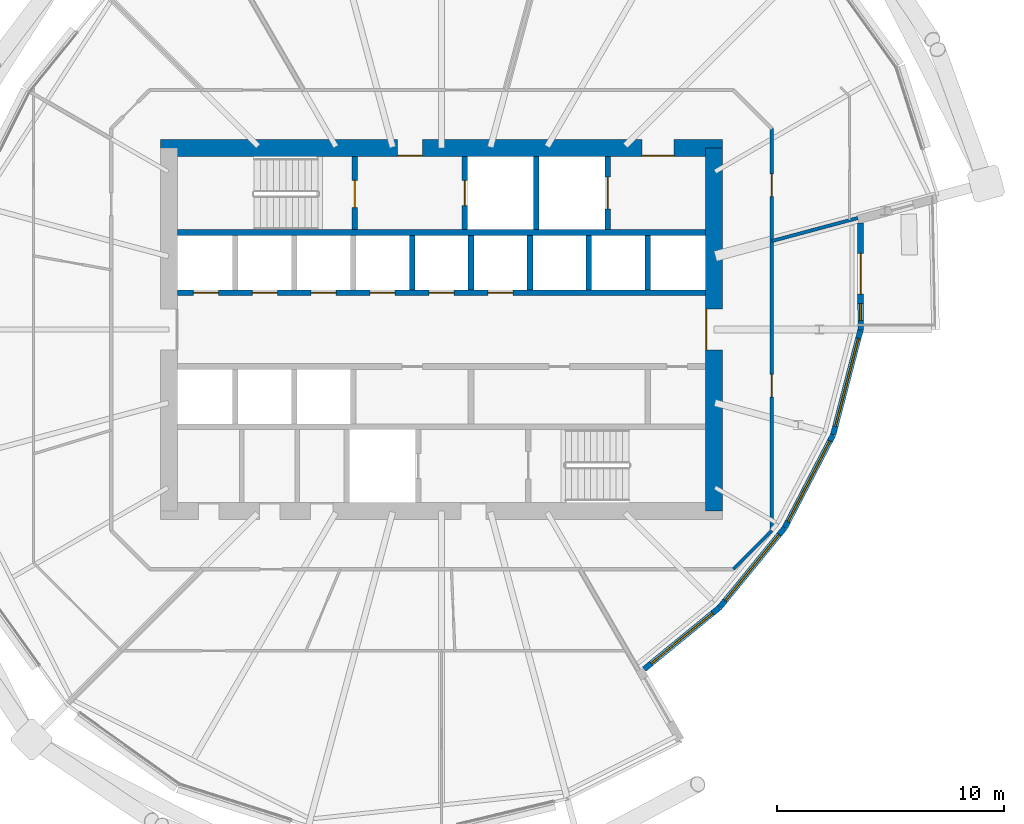
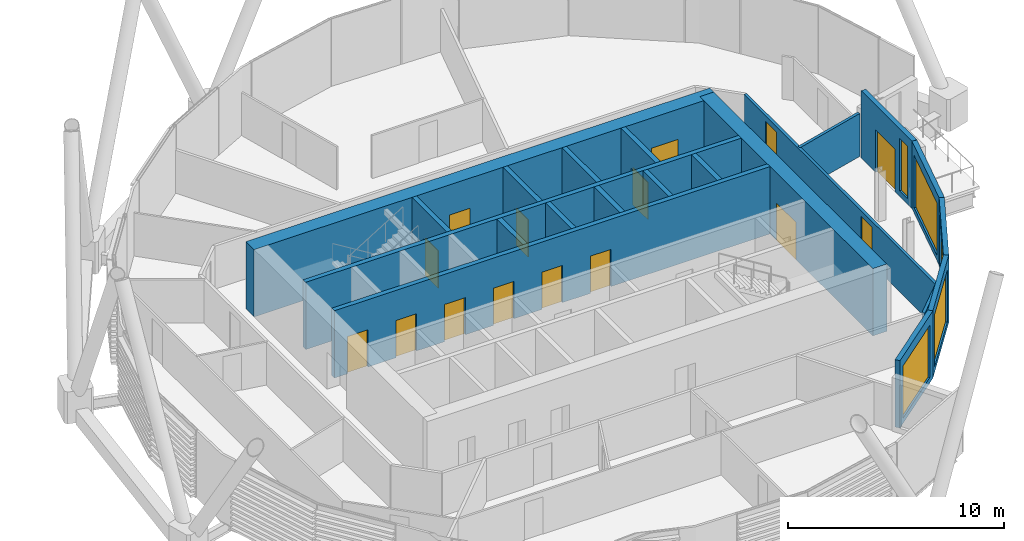
# One storey, part 29 of 38: 21 walls, 15 doors, 5 windows, 20 openings.
"""IFC4 building model written with IfcOpenShell, lengths in metres."""

from ifc_helpers import new_model, si_unit, direction, frame, frame_2d, origin, place, context, subcontext, project, spatial, rectangle, extrude, material, layer, layer_set, type_object, element, fill, save


model = new_model("IFC4")

# Units and contexts
model_context = context("Model", 3, precision=1e-05, world=origin(), true_north=direction((0.0, 1.0)))
body_context = subcontext(model_context, "Body", "Model", "MODEL_VIEW")
ifc_project = project(units=[si_unit("LENGTHUNIT", "METRE"), si_unit("AREAUNIT", "SQUARE_METRE"), si_unit("VOLUMEUNIT", "CUBIC_METRE"), si_unit("PLANEANGLEUNIT", "RADIAN"), si_unit("MASSUNIT", "GRAM", prefix="KILO")], contexts=[model_context])

# Site, building, storey
site_placement = place(None, origin())
site = spatial("IfcSite", under=ifc_project, at=site_placement, CompositionType="ELEMENT")
building_placement = place(site_placement, origin())
building = spatial("IfcBuilding", under=site, at=building_placement, Name="Rimbun Link Towers", CompositionType="ELEMENT")
storey_placement = place(building_placement, frame((0.0, 0.0, 104.39990234375)))
storey = spatial("IfcBuildingStorey", under=building, at=storey_placement, Name="L25", CompositionType="ELEMENT", Elevation=104.39990234375)

# Wall, opening, window
ifc_material_1 = material(Name="Dark enamelled glass spandrel on insulated aluminium backpan", Category="aluminium")
ifc_layer_1 = layer(ifc_material_1, 0.25)
ifc_layer_set_1 = layer_set([ifc_layer_1], Name="CS dark enamelled spandrel wall 250")
wall_type_1 = type_object("IfcWallType", Name="CS dark enamelled spandrel wall 250", PredefinedType="STANDARD", material=ifc_layer_set_1)
wall_1_placement = place(storey_placement, frame((43.99267578125, -12.24267578125, 0.0), z_axis=(0.0, 0.0, 1.0), x_axis=(-0.773876104607, -0.633337015117, 0.0)))
wall_1 = element("IfcWall", 1, at=wall_1_placement, inside=storey, type_object=wall_type_1, Name="Crease spandrel wall", PredefinedType="STANDARD", context=body_context, shape_type="SweptSolid", body=[
    extrude(rectangle(XDim=4.287353515625, YDim=0.25, at=frame_2d((2.1435546875, 0.0))), origin(), (0.0, 0.0, 1.0), 3.800048828125),
])
opening_1_placement = place(wall_1_placement, frame((0.393798828125, 0.0, 0.300048828125)))
opening_1 = element("IfcOpeningElement", 2, at=opening_1_placement, cuts=wall_1, Name="Opening WR35H295", PredefinedType="OPENING", context=body_context, shape_type="SweptSolid", body=[
    extrude(rectangle(XDim=3.5, YDim=2.949951171875, at=frame_2d((1.75, 1.47509765625))), frame((0.0, 0.135009765625, 0.0), z_axis=(0.0, -1.0, 0.0), x_axis=(1.0, 0.0, 0.0)), (0.0, 0.0, 1.0), 0.27001953125),
])
ifc_material_2 = material(Name="Aluminium framed fixed window, dark tinted low-e glass", Category="aluminium")
window_type_1 = type_object("IfcWindowType", Name="WR ribbon window 3500X2950", PartitioningType="SINGLE_PANEL", PredefinedType="WINDOW", material=ifc_material_2)
window_1_placement = place(opening_1_placement, origin())
window_1 = element("IfcWindow", 3, at=window_1_placement, inside=storey, type_object=window_type_1, Name="Crease ribbon window", OverallHeight=2.949951171875, OverallWidth=3.5, PartitioningType="SINGLE_PANEL", PredefinedType="WINDOW", context=body_context, shape_type="SweptSolid", body=[
    extrude(rectangle(XDim=3.5, YDim=2.949951171875, at=frame_2d((1.75, 1.47509765625))), frame((0.0, 0.030029296875, 0.0), z_axis=(0.0, -1.0, 0.0), x_axis=(1.0, 0.0, 0.0)), (0.0, 0.0, 1.0), 0.06005859375),
])
fill(opening_1, window_1)

wall_2_placement = place(storey_placement, frame((46.86376953125, -8.734619140625, 0.0), z_axis=(0.0, 0.0, 1.0), x_axis=(-0.6333521617, -0.773863708459, 0.0)))
wall_2 = element("IfcWall", 4, at=wall_2_placement, inside=storey, type_object=wall_type_1, Name="Crease spandrel wall", PredefinedType="STANDARD", context=body_context, shape_type="SweptSolid", body=[
    extrude(rectangle(XDim=4.533203125, YDim=0.25, at=frame_2d((2.2666015625, 0.0))), origin(), (0.0, 0.0, 1.0), 3.800048828125),
])
opening_2_placement = place(wall_2_placement, frame((0.3916015625, 0.0, 0.300048828125)))
opening_2 = element("IfcOpeningElement", 5, at=opening_2_placement, cuts=wall_2, Name="Opening WR38H295", PredefinedType="OPENING", context=body_context, shape_type="SweptSolid", body=[
    extrude(rectangle(XDim=3.75, YDim=2.949951171875, at=frame_2d((1.875, 1.47509765625))), frame((0.0, 0.135009765625, 0.0), z_axis=(0.0, -1.0, 0.0), x_axis=(1.0, 0.0, 0.0)), (0.0, 0.0, 1.0), 0.27001953125),
])
ifc_material_3 = material(Name="Aluminium framed fixed window, dark tinted low-e glass", Category="aluminium")
window_type_2 = type_object("IfcWindowType", Name="WR ribbon window 3750X2950", PartitioningType="SINGLE_PANEL", PredefinedType="WINDOW", material=ifc_material_3)
window_2_placement = place(opening_2_placement, origin())
window_2 = element("IfcWindow", 6, at=window_2_placement, inside=storey, type_object=window_type_2, Name="Crease ribbon window", OverallHeight=2.949951171875, OverallWidth=3.75, PartitioningType="SINGLE_PANEL", PredefinedType="WINDOW", context=body_context, shape_type="SweptSolid", body=[
    extrude(rectangle(XDim=3.75, YDim=2.949951171875, at=frame_2d((1.875, 1.47509765625))), frame((0.0, 0.030029296875, 0.0), z_axis=(0.0, -1.0, 0.0), x_axis=(1.0, 0.0, 0.0)), (0.0, 0.0, 1.0), 0.06005859375),
])
fill(opening_2, window_2)

wall_3_placement = place(storey_placement, frame((48.9990234375, -4.6357421875, 0.0), z_axis=(0.0, 0.0, 1.0), x_axis=(-0.462006269237, -0.886876658384, 0.0)))
wall_3 = element("IfcWall", 7, at=wall_3_placement, inside=storey, type_object=wall_type_1, Name="Crease spandrel wall", PredefinedType="STANDARD", context=body_context, shape_type="SweptSolid", body=[
    extrude(rectangle(XDim=4.62158203125, YDim=0.25, at=frame_2d((2.310791015625, 0.0))), origin(), (0.0, 0.0, 1.0), 3.800048828125),
])
opening_3_placement = place(wall_3_placement, frame((0.310791015625, 0.0, 0.300048828125)))
opening_3 = element("IfcOpeningElement", 8, at=opening_3_placement, cuts=wall_3, Name="Opening WR40H295", PredefinedType="OPENING", context=body_context, shape_type="SweptSolid", body=[
    extrude(rectangle(XDim=4.0, YDim=2.949951171875, at=frame_2d((2.0, 1.47509765625))), frame((0.0, 0.135009765625, 0.0), z_axis=(0.0, -1.0, 0.0), x_axis=(1.0, 0.0, 0.0)), (0.0, 0.0, 1.0), 0.27001953125),
])
ifc_material_4 = material(Name="Aluminium framed fixed window, dark tinted low-e glass", Category="aluminium")
window_type_3 = type_object("IfcWindowType", Name="WR ribbon window 4000X2950", PartitioningType="SINGLE_PANEL", PredefinedType="WINDOW", material=ifc_material_4)
window_3_placement = place(opening_3_placement, origin())
window_3 = element("IfcWindow", 9, at=window_3_placement, inside=storey, type_object=window_type_3, Name="Crease ribbon window", OverallHeight=2.949951171875, OverallWidth=4.0, PartitioningType="SINGLE_PANEL", PredefinedType="WINDOW", context=body_context, shape_type="SweptSolid", body=[
    extrude(rectangle(XDim=4.0, YDim=2.949951171875, at=frame_2d((2.0, 1.47509765625))), frame((0.0, 0.030029296875, 0.0), z_axis=(0.0, -1.0, 0.0), x_axis=(1.0, 0.0, 0.0)), (0.0, 0.0, 1.0), 0.06005859375),
])
fill(opening_3, window_3)

wall_4_placement = place(storey_placement, frame((50.20458984375, -0.01611328125, 0.0), z_axis=(0.0, 0.0, 1.0), x_axis=(-0.252509325017, -0.967594460908, 0.0)))
wall_4 = element("IfcWall", 10, at=wall_4_placement, inside=storey, type_object=wall_type_1, Name="Crease spandrel wall", PredefinedType="STANDARD", context=body_context, shape_type="SweptSolid", body=[
    extrude(rectangle(XDim=4.7744140625, YDim=0.25, at=frame_2d((2.38720703125, 0.0))), origin(), (0.0, 0.0, 1.0), 3.800048828125),
])
opening_4_placement = place(wall_4_placement, frame((0.38720703125, 0.0, 0.300048828125)))
opening_4 = element("IfcOpeningElement", 11, at=opening_4_placement, cuts=wall_4, Name="Opening WR40H295", PredefinedType="OPENING", context=body_context, shape_type="SweptSolid", body=[
    extrude(rectangle(XDim=4.0, YDim=2.949951171875, at=frame_2d((2.0, 1.47509765625))), frame((0.0, 0.135009765625, 0.0), z_axis=(0.0, -1.0, 0.0), x_axis=(1.0, 0.0, 0.0)), (0.0, 0.0, 1.0), 0.27001953125),
])
window_4_placement = place(opening_4_placement, origin())
window_4 = element("IfcWindow", 12, at=window_4_placement, inside=storey, type_object=window_type_3, Name="Crease ribbon window", OverallHeight=2.949951171875, OverallWidth=4.0, PartitioningType="SINGLE_PANEL", PredefinedType="WINDOW", context=body_context, shape_type="SweptSolid", body=[
    extrude(rectangle(XDim=4.0, YDim=2.949951171875, at=frame_2d((2.0, 1.47509765625))), frame((0.0, 0.030029296875, 0.0), z_axis=(0.0, -1.0, 0.0), x_axis=(1.0, 0.0, 0.0)), (0.0, 0.0, 1.0), 0.06005859375),
])
fill(opening_4, window_4)

# Wall, openings, door, window
wall_5_placement = place(storey_placement, frame((50.2041015625, 4.68603515625, 0.0), z_axis=(0.0, 0.0, 1.0), x_axis=(0.000103842159, -0.999999994608, 0.0)))
wall_5 = element("IfcWall", 13, at=wall_5_placement, inside=storey, type_object=wall_type_1, Name="Crease spandrel wall", PredefinedType="STANDARD", context=body_context, shape_type="SweptSolid", body=[
    extrude(rectangle(XDim=4.7021484375, YDim=0.25, at=frame_2d((2.35107421875, 0.0))), origin(), (0.0, 0.0, 1.0), 3.800048828125),
])
opening_5_placement = place(wall_5_placement, frame((3.541259765625, 0.0, 0.300048828125)))
opening_5 = element("IfcOpeningElement", 14, at=opening_5_placement, cuts=wall_5, Name="Opening WR08H295", PredefinedType="OPENING", context=body_context, shape_type="SweptSolid", body=[
    extrude(rectangle(XDim=0.75, YDim=2.949951171875, at=frame_2d((0.375, 1.47509765625))), frame((0.0, 0.135009765625, 0.0), z_axis=(0.0, -1.0, 0.0), x_axis=(1.0, 0.0, 0.0)), (0.0, 0.0, 1.0), 0.27001953125),
])
opening_6_placement = place(wall_5_placement, frame((1.330322265625, 0.0, 0.0)))
opening_6 = element("IfcOpeningElement", 15, at=opening_6_placement, cuts=wall_5, Name="Opening ED64", PredefinedType="OPENING", context=body_context, shape_type="SweptSolid", body=[
    extrude(rectangle(XDim=1.800048828125, YDim=2.39990234375, at=frame_2d((0.89990234375, 1.199951171875))), frame((0.0, 0.135009765625, 0.0), z_axis=(0.0, -1.0, 0.0), x_axis=(1.0, 0.0, 0.0)), (0.0, 0.0, 1.0), 0.27001953125),
])
ifc_material_5 = material(Name="Aluminium framed glazed door, low-iron glass", Category="aluminium")
door_type_1 = type_object("IfcDoorType", Name="ED terrace door double leaf 1800X2400", OperationType="DOUBLE_DOOR_SINGLE_SWING", PredefinedType="DOOR", material=ifc_material_5)
door_1_placement = place(opening_6_placement, origin())
door_1 = element("IfcDoor", 16, at=door_1_placement, inside=storey, type_object=door_type_1, Name="Terrace door", OperationType="SINGLE_SWING_LEFT", OverallHeight=2.39990234375, OverallWidth=1.800048828125, PredefinedType="DOOR", context=body_context, shape_type="SweptSolid", body=[
    extrude(rectangle(XDim=1.800048828125, YDim=2.39990234375, at=frame_2d((0.89990234375, 1.199951171875))), frame((0.0, 0.02490234375, 0.0), z_axis=(0.0, -1.0, 0.0), x_axis=(1.0, 0.0, 0.0)), (0.0, 0.0, 1.0), 0.050048828125),
])
fill(opening_6, door_1)
ifc_material_6 = material(Name="Aluminium framed fixed window, dark tinted low-e glass", Category="aluminium")
window_type_4 = type_object("IfcWindowType", Name="WR ribbon window 750X2950", PartitioningType="SINGLE_PANEL", PredefinedType="WINDOW", material=ifc_material_6)
window_5_placement = place(opening_5_placement, origin())
window_5 = element("IfcWindow", 17, at=window_5_placement, inside=storey, type_object=window_type_4, Name="Crease ribbon window", OverallHeight=2.949951171875, OverallWidth=0.75, PartitioningType="SINGLE_PANEL", PredefinedType="WINDOW", context=body_context, shape_type="SweptSolid", body=[
    extrude(rectangle(XDim=0.75, YDim=2.949951171875, at=frame_2d((0.375, 1.47509765625))), frame((0.0, 0.030029296875, 0.0), z_axis=(0.0, -1.0, 0.0), x_axis=(1.0, 0.0, 0.0)), (0.0, 0.0, 1.0), 0.06005859375),
])
fill(opening_5, window_5)

# Wall, openings, doors
ifc_material_7 = material(Name="Concrete C60/75", Category="concrete")
ifc_layer_2 = layer(ifc_material_7, 0.75)
ifc_layer_set_2 = layer_set([ifc_layer_2], Name="Core shear wall 750")
wall_type_2 = type_object("IfcWallType", Name="Core shear wall 750", PredefinedType="SHEAR", material=ifc_layer_set_2)
wall_6_placement = place(storey_placement, frame((19.375, 8.0, 0.0), z_axis=(0.0, 0.0, 1.0), x_axis=(1.0, 0.0, 0.0)))
wall_6 = element("IfcWall", 18, at=wall_6_placement, inside=storey, type_object=wall_type_2, Name="L25 T2 core wall N", PredefinedType="SHEAR", context=body_context, shape_type="SweptSolid", body=[
    extrude(rectangle(XDim=24.75, YDim=0.75, at=frame_2d((12.375, 0.0))), origin(), (0.0, 0.0, 1.0), 3.800048828125),
])
opening_7_placement = place(wall_6_placement, frame((10.425048828125, 0.0, 0.0)))
opening_7 = element("IfcOpeningElement", 19, at=opening_7_placement, cuts=wall_6, Name="Opening C2DCF01N", PredefinedType="OPENING", context=body_context, shape_type="SweptSolid", body=[
    extrude(rectangle(XDim=1.10009765625, YDim=2.10009765625, at=frame_2d((0.550048828125, 1.050048828125))), frame((0.0, 0.385009765625, 0.0), z_axis=(0.0, -1.0, 0.0), x_axis=(1.0, 0.0, 0.0)), (0.0, 0.0, 1.0), 0.77001953125),
])
opening_8_placement = place(wall_6_placement, frame((21.21240234375, 0.0, 0.0)))
opening_8 = element("IfcOpeningElement", 20, at=opening_8_placement, cuts=wall_6, Name="Opening C2DSL02N", PredefinedType="OPENING", context=body_context, shape_type="SweptSolid", body=[
    extrude(rectangle(XDim=1.39990234375, YDim=2.10009765625, at=frame_2d((0.699951171875, 1.050048828125))), frame((0.0, 0.385009765625, 0.0), z_axis=(0.0, -1.0, 0.0), x_axis=(1.0, 0.0, 0.0)), (0.0, 0.0, 1.0), 0.77001953125),
])
ifc_material_8 = material(Name="Steel fire door set", Category="steel")
door_type_2 = type_object("IfcDoorType", Name="Core fire door single", OperationType="SINGLE_SWING_LEFT", PredefinedType="DOOR", material=ifc_material_8)
door_2_placement = place(opening_7_placement, origin())
door_2 = element("IfcDoor", 21, at=door_2_placement, inside=storey, type_object=door_type_2, Name="L25 T2 firefighting lobby n door", OperationType="SINGLE_SWING_LEFT", OverallHeight=2.10009765625, OverallWidth=1.10009765625, PredefinedType="DOOR", context=body_context, shape_type="SweptSolid", body=[
    extrude(rectangle(XDim=1.10009765625, YDim=2.10009765625, at=frame_2d((0.550048828125, 1.050048828125))), frame((0.0, -0.3251953125, 0.0), z_axis=(0.0, -1.0, 0.0), x_axis=(1.0, 0.0, 0.0)), (0.0, 0.0, 1.0), 0.050048828125),
])
fill(opening_7, door_2)
ifc_material_9 = material(Name="Steel fire door set", Category="steel")
door_type_3 = type_object("IfcDoorType", Name="Service lobby door double", OperationType="DOUBLE_DOOR_SINGLE_SWING", PredefinedType="DOOR", material=ifc_material_9)
door_3_placement = place(opening_8_placement, origin())
door_3 = element("IfcDoor", 22, at=door_3_placement, inside=storey, type_object=door_type_3, Name="L25 T2 service lobby door", OperationType="DOUBLE_DOOR_SINGLE_SWING", OverallHeight=2.10009765625, OverallWidth=1.39990234375, PredefinedType="DOOR", context=body_context, shape_type="SweptSolid", body=[
    extrude(rectangle(XDim=1.39990234375, YDim=2.10009765625, at=frame_2d((0.699951171875, 1.050048828125))), frame((0.0, -0.3251953125, 0.0), z_axis=(0.0, -1.0, 0.0), x_axis=(1.0, 0.0, 0.0)), (0.0, 0.0, 1.0), 0.050048828125),
])
fill(opening_8, door_3)

# Wall, opening, door
wall_7_placement = place(storey_placement, frame((43.75, -8.0, 0.0), z_axis=(0.0, 0.0, 1.0), x_axis=(0.0, 1.0, 0.0)))
wall_7 = element("IfcWall", 23, at=wall_7_placement, inside=storey, type_object=wall_type_2, Name="L25 T2 core wall E", PredefinedType="SHEAR", context=body_context, shape_type="SweptSolid", body=[
    extrude(rectangle(XDim=16.0, YDim=0.75, at=frame_2d((8.0, 0.0))), origin(), (0.0, 0.0, 1.0), 3.800048828125),
])
opening_9_placement = place(wall_7_placement, frame((7.10009765625, 0.0, 0.0)))
opening_9 = element("IfcOpeningElement", 24, at=opening_9_placement, cuts=wall_7, Name="Opening C2DCL01E", PredefinedType="OPENING", context=body_context, shape_type="SweptSolid", body=[
    extrude(rectangle(XDim=1.800048828125, YDim=2.10009765625, at=frame_2d((0.89990234375, 1.050048828125))), frame((0.0, 0.385009765625, 0.0), z_axis=(0.0, -1.0, 0.0), x_axis=(1.0, 0.0, 0.0)), (0.0, 0.0, 1.0), 0.77001953125),
])
ifc_material_10 = material(Name="Steel fire door set", Category="steel")
door_type_4 = type_object("IfcDoorType", Name="Core lobby door double", OperationType="DOUBLE_DOOR_SINGLE_SWING", PredefinedType="DOOR", material=ifc_material_10)
door_4_placement = place(opening_9_placement, origin())
door_4 = element("IfcDoor", 25, at=door_4_placement, inside=storey, type_object=door_type_4, Name="L25 T2 lift lobby door", OperationType="DOUBLE_DOOR_SINGLE_SWING", OverallHeight=2.10009765625, OverallWidth=1.800048828125, PredefinedType="DOOR", context=body_context, shape_type="SweptSolid", body=[
    extrude(rectangle(XDim=1.800048828125, YDim=2.10009765625, at=frame_2d((0.89990234375, 1.050048828125))), frame((0.0, 0.375, 0.0), z_axis=(0.0, -1.0, 0.0), x_axis=(1.0, 0.0, 0.0)), (0.0, 0.0, 1.0), 0.050048828125),
])
fill(opening_9, door_4)

# Wall, openings, doors
ifc_material_11 = material(Name="Plasterboard on steel stud, mineral wool", Category="steel")
ifc_layer_3 = layer(ifc_material_11, 0.14990234375)
ifc_layer_set_3 = layer_set([ifc_layer_3], Name="Corridor wall EI 30 150 mm")
wall_type_3 = type_object("IfcWallType", Name="Corridor wall EI 30 150 mm", PredefinedType="PARTITIONING", material=ifc_layer_set_3)
wall_8_placement = place(storey_placement, frame((46.300048828125, 8.851806640625, 0.0), z_axis=(0.0, 0.0, 1.0), x_axis=(0.0, -1.0, 0.0)))
wall_8 = element("IfcWall", 26, at=wall_8_placement, inside=storey, type_object=wall_type_3, Name="Corridor wall EI 30 150 mm", PredefinedType="PARTITIONING", context=body_context, shape_type="SweptSolid", body=[
    extrude(rectangle(XDim=17.70361328125, YDim=0.14990234375, at=frame_2d((8.851806640625, 0.0))), origin(), (0.0, 0.0, 1.0), 2.420166015625),
])
opening_10_placement = place(wall_8_placement, frame((1.994873046875, 0.0, 0.0)))
opening_10 = element("IfcOpeningElement", 27, at=opening_10_placement, cuts=wall_8, Name="Opening D01", PredefinedType="OPENING", context=body_context, shape_type="SweptSolid", body=[
    extrude(rectangle(XDim=1.0, YDim=2.10009765625, at=frame_2d((0.5, 1.050048828125))), frame((0.0, 0.0849609375, 0.0), z_axis=(0.0, -1.0, 0.0), x_axis=(1.0, 0.0, 0.0)), (0.0, 0.0, 1.0), 0.169921875),
])
opening_11_placement = place(wall_8_placement, frame((10.828125, 0.0, 0.0)))
opening_11 = element("IfcOpeningElement", 28, at=opening_11_placement, cuts=wall_8, Name="Opening D01", PredefinedType="OPENING", context=body_context, shape_type="SweptSolid", body=[
    extrude(rectangle(XDim=1.0, YDim=2.10009765625, at=frame_2d((0.5, 1.050048828125))), frame((0.0, 0.0849609375, 0.0), z_axis=(0.0, -1.0, 0.0), x_axis=(1.0, 0.0, 0.0)), (0.0, 0.0, 1.0), 0.169921875),
])
ifc_material_12 = material(Name="Fire-resisting timber door leaf", Category="wood")
door_type_5 = type_object("IfcDoorType", Name="Fire door FD30S 1000", OperationType="NOTDEFINED", PredefinedType="DOOR", material=ifc_material_12)
door_5_placement = place(opening_10_placement, origin())
door_5 = element("IfcDoor", 29, at=door_5_placement, inside=storey, type_object=door_type_5, Name="Fire door FD30S 1000 to Reception", OperationType="SINGLE_SWING_LEFT", OverallHeight=2.10009765625, OverallWidth=1.0, PredefinedType="DOOR", context=body_context, shape_type="SweptSolid", body=[
    extrude(rectangle(XDim=1.0, YDim=2.10009765625, at=frame_2d((0.5, 1.050048828125))), frame((0.0, 0.02490234375, 0.0), z_axis=(0.0, -1.0, 0.0), x_axis=(1.0, 0.0, 0.0)), (0.0, 0.0, 1.0), 0.050048828125),
])
fill(opening_10, door_5)
door_6_placement = place(opening_11_placement, origin())
door_6 = element("IfcDoor", 30, at=door_6_placement, inside=storey, type_object=door_type_5, Name="Fire door FD30S 1000 to Terrace office", OperationType="SINGLE_SWING_LEFT", OverallHeight=2.10009765625, OverallWidth=1.0, PredefinedType="DOOR", context=body_context, shape_type="SweptSolid", body=[
    extrude(rectangle(XDim=1.0, YDim=2.10009765625, at=frame_2d((0.5, 1.050048828125))), frame((0.0, 0.02490234375, 0.0), z_axis=(0.0, -1.0, 0.0), x_axis=(1.0, 0.0, 0.0)), (0.0, 0.0, 1.0), 0.050048828125),
])
fill(opening_11, door_6)

# Walls
wall_9_placement = place(storey_placement, frame((44.601806640625, -10.550048828125, 0.0), z_axis=(0.0, 0.0, 1.0), x_axis=(0.707106781187, 0.707106781187, 0.0)))
element("IfcWall", 31, at=wall_9_placement, inside=storey, type_object=wall_type_3, Name="Corridor wall EI 30 150 mm", PredefinedType="PARTITIONING", context=body_context, shape_type="SweptSolid", body=[
    extrude(rectangle(XDim=2.401611328125, YDim=0.14990234375, at=frame_2d((1.20068359375, 0.0))), origin(), (0.0, 0.0, 1.0), 2.420166015625),
])
ifc_material_13 = material(Name="Concrete C60/75", Category="concrete")
ifc_layer_4 = layer(ifc_material_13, 0.25)
ifc_layer_set_4 = layer_set([ifc_layer_4], Name="Shaft wall 250")
wall_type_4 = type_object("IfcWallType", Name="Shaft wall 250", PredefinedType="SHEAR", material=ifc_layer_set_4)
wall_10_placement = place(storey_placement, frame((20.125, 4.27490234375, 0.0), z_axis=(0.0, 0.0, 1.0), x_axis=(1.0, 0.0, 0.0)))
element("IfcWall", 32, at=wall_10_placement, inside=storey, type_object=wall_type_4, Name="L25 T2 core wall BN", PredefinedType="SHEAR", context=body_context, shape_type="SweptSolid", body=[
    extrude(rectangle(XDim=23.25, YDim=0.25, at=frame_2d((11.625, 0.0))), origin(), (0.0, 0.0, 1.0), 3.800048828125),
])

# Wall, openings, doors
wall_11_placement = place(storey_placement, frame((20.125, 1.625, 0.0), z_axis=(0.0, 0.0, 1.0), x_axis=(1.0, 0.0, 0.0)))
wall_11 = element("IfcWall", 33, at=wall_11_placement, inside=storey, type_object=wall_type_4, Name="L25 T2 core wall FN", PredefinedType="SHEAR", context=body_context, shape_type="SweptSolid", body=[
    extrude(rectangle(XDim=23.25, YDim=0.25, at=frame_2d((11.625, 0.0))), origin(), (0.0, 0.0, 1.0), 3.800048828125),
])
opening_12_placement = place(wall_11_placement, frame((0.697265625, 0.0, 0.0)))
opening_12 = element("IfcOpeningElement", 34, at=opening_12_placement, cuts=wall_11, Name="Opening LD-T2-LR1", PredefinedType="OPENING", context=body_context, shape_type="SweptSolid", body=[
    extrude(rectangle(XDim=1.10009765625, YDim=2.10009765625, at=frame_2d((0.550048828125, 1.050048828125))), frame((0.0, 0.135009765625, 0.0), z_axis=(0.0, -1.0, 0.0), x_axis=(1.0, 0.0, 0.0)), (0.0, 0.0, 1.0), 0.27001953125),
])
opening_13_placement = place(wall_11_placement, frame((3.291748046875, 0.0, 0.0)))
opening_13 = element("IfcOpeningElement", 35, at=opening_13_placement, cuts=wall_11, Name="Opening LD-T2-LR2", PredefinedType="OPENING", context=body_context, shape_type="SweptSolid", body=[
    extrude(rectangle(XDim=1.10009765625, YDim=2.10009765625, at=frame_2d((0.550048828125, 1.050048828125))), frame((0.0, 0.135009765625, 0.0), z_axis=(0.0, -1.0, 0.0), x_axis=(1.0, 0.0, 0.0)), (0.0, 0.0, 1.0), 0.27001953125),
])
opening_14_placement = place(wall_11_placement, frame((5.885986328125, 0.0, 0.0)))
opening_14 = element("IfcOpeningElement", 36, at=opening_14_placement, cuts=wall_11, Name="Opening LD-T2-LR3", PredefinedType="OPENING", context=body_context, shape_type="SweptSolid", body=[
    extrude(rectangle(XDim=1.10009765625, YDim=2.10009765625, at=frame_2d((0.550048828125, 1.050048828125))), frame((0.0, 0.135009765625, 0.0), z_axis=(0.0, -1.0, 0.0), x_axis=(1.0, 0.0, 0.0)), (0.0, 0.0, 1.0), 0.27001953125),
])
opening_15_placement = place(wall_11_placement, frame((8.480712890625, 0.0, 0.0)))
opening_15 = element("IfcOpeningElement", 37, at=opening_15_placement, cuts=wall_11, Name="Opening LD-T2-LR4", PredefinedType="OPENING", context=body_context, shape_type="SweptSolid", body=[
    extrude(rectangle(XDim=1.10009765625, YDim=2.10009765625, at=frame_2d((0.550048828125, 1.050048828125))), frame((0.0, 0.135009765625, 0.0), z_axis=(0.0, -1.0, 0.0), x_axis=(1.0, 0.0, 0.0)), (0.0, 0.0, 1.0), 0.27001953125),
])
opening_16_placement = place(wall_11_placement, frame((11.074951171875, 0.0, 0.0)))
opening_16 = element("IfcOpeningElement", 38, at=opening_16_placement, cuts=wall_11, Name="Opening LD-T2-LR5", PredefinedType="OPENING", context=body_context, shape_type="SweptSolid", body=[
    extrude(rectangle(XDim=1.10009765625, YDim=2.10009765625, at=frame_2d((0.550048828125, 1.050048828125))), frame((0.0, 0.135009765625, 0.0), z_axis=(0.0, -1.0, 0.0), x_axis=(1.0, 0.0, 0.0)), (0.0, 0.0, 1.0), 0.27001953125),
])
opening_17_placement = place(wall_11_placement, frame((13.66943359375, 0.0, 0.0)))
opening_17 = element("IfcOpeningElement", 39, at=opening_17_placement, cuts=wall_11, Name="Opening LD-T2-LR6", PredefinedType="OPENING", context=body_context, shape_type="SweptSolid", body=[
    extrude(rectangle(XDim=1.10009765625, YDim=2.10009765625, at=frame_2d((0.550048828125, 1.050048828125))), frame((0.0, 0.135009765625, 0.0), z_axis=(0.0, -1.0, 0.0), x_axis=(1.0, 0.0, 0.0)), (0.0, 0.0, 1.0), 0.27001953125),
])
ifc_material_14 = material(Name="Stainless steel grade 316", Category="steel")
door_type_6 = type_object("IfcDoorType", Name="Lift landing door", OperationType="DOUBLE_DOOR_SLIDING", PredefinedType="DOOR", material=ifc_material_14)
door_7_placement = place(opening_12_placement, origin())
door_7 = element("IfcDoor", 40, at=door_7_placement, inside=storey, type_object=door_type_6, Name="L25 T2 lift LR1 landing door", OperationType="DOUBLE_DOOR_SLIDING", OverallHeight=2.10009765625, OverallWidth=1.10009765625, PredefinedType="DOOR", context=body_context, shape_type="SweptSolid", body=[
    extrude(rectangle(XDim=1.10009765625, YDim=2.10009765625, at=frame_2d((0.550048828125, 1.050048828125))), frame((0.0, 0.02490234375, 0.0), z_axis=(0.0, -1.0, 0.0), x_axis=(1.0, 0.0, 0.0)), (0.0, 0.0, 1.0), 0.050048828125),
])
fill(opening_12, door_7)
door_8_placement = place(opening_13_placement, origin())
door_8 = element("IfcDoor", 41, at=door_8_placement, inside=storey, type_object=door_type_6, Name="L25 T2 lift LR2 landing door", OperationType="DOUBLE_DOOR_SLIDING", OverallHeight=2.10009765625, OverallWidth=1.10009765625, PredefinedType="DOOR", context=body_context, shape_type="SweptSolid", body=[
    extrude(rectangle(XDim=1.10009765625, YDim=2.10009765625, at=frame_2d((0.550048828125, 1.050048828125))), frame((0.0, 0.02490234375, 0.0), z_axis=(0.0, -1.0, 0.0), x_axis=(1.0, 0.0, 0.0)), (0.0, 0.0, 1.0), 0.050048828125),
])
fill(opening_13, door_8)
door_9_placement = place(opening_14_placement, origin())
door_9 = element("IfcDoor", 42, at=door_9_placement, inside=storey, type_object=door_type_6, Name="L25 T2 lift LR3 landing door", OperationType="DOUBLE_DOOR_SLIDING", OverallHeight=2.10009765625, OverallWidth=1.10009765625, PredefinedType="DOOR", context=body_context, shape_type="SweptSolid", body=[
    extrude(rectangle(XDim=1.10009765625, YDim=2.10009765625, at=frame_2d((0.550048828125, 1.050048828125))), frame((0.0, 0.02490234375, 0.0), z_axis=(0.0, -1.0, 0.0), x_axis=(1.0, 0.0, 0.0)), (0.0, 0.0, 1.0), 0.050048828125),
])
fill(opening_14, door_9)
door_10_placement = place(opening_15_placement, origin())
door_10 = element("IfcDoor", 43, at=door_10_placement, inside=storey, type_object=door_type_6, Name="L25 T2 lift LR4 landing door", OperationType="DOUBLE_DOOR_SLIDING", OverallHeight=2.10009765625, OverallWidth=1.10009765625, PredefinedType="DOOR", context=body_context, shape_type="SweptSolid", body=[
    extrude(rectangle(XDim=1.10009765625, YDim=2.10009765625, at=frame_2d((0.550048828125, 1.050048828125))), frame((0.0, 0.02490234375, 0.0), z_axis=(0.0, -1.0, 0.0), x_axis=(1.0, 0.0, 0.0)), (0.0, 0.0, 1.0), 0.050048828125),
])
fill(opening_15, door_10)
door_11_placement = place(opening_16_placement, origin())
door_11 = element("IfcDoor", 44, at=door_11_placement, inside=storey, type_object=door_type_6, Name="L25 T2 lift LR5 landing door", OperationType="DOUBLE_DOOR_SLIDING", OverallHeight=2.10009765625, OverallWidth=1.10009765625, PredefinedType="DOOR", context=body_context, shape_type="SweptSolid", body=[
    extrude(rectangle(XDim=1.10009765625, YDim=2.10009765625, at=frame_2d((0.550048828125, 1.050048828125))), frame((0.0, 0.02490234375, 0.0), z_axis=(0.0, -1.0, 0.0), x_axis=(1.0, 0.0, 0.0)), (0.0, 0.0, 1.0), 0.050048828125),
])
fill(opening_16, door_11)
door_12_placement = place(opening_17_placement, origin())
door_12 = element("IfcDoor", 45, at=door_12_placement, inside=storey, type_object=door_type_6, Name="L25 T2 lift LR6 landing door", OperationType="DOUBLE_DOOR_SLIDING", OverallHeight=2.10009765625, OverallWidth=1.10009765625, PredefinedType="DOOR", context=body_context, shape_type="SweptSolid", body=[
    extrude(rectangle(XDim=1.10009765625, YDim=2.10009765625, at=frame_2d((0.550048828125, 1.050048828125))), frame((0.0, 0.02490234375, 0.0), z_axis=(0.0, -1.0, 0.0), x_axis=(1.0, 0.0, 0.0)), (0.0, 0.0, 1.0), 0.050048828125),
])
fill(opening_17, door_12)

# Walls
for number, where, z_axis, x_axis, name in (
    (46, (30.452880859375, 1.75, 0.0), (0.0, 0.0, 1.0), (0.0, 1.0, 0.0), "L25 T2 core wall DN3"),
    (47, (33.047119140625, 1.75, 0.0), (0.0, 0.0, 1.0), (0.0, 1.0, 0.0), "L25 T2 core wall DN4"),
    (48, (35.6416015625, 1.75, 0.0), (0.0, 0.0, 1.0), (0.0, 1.0, 0.0), "L25 T2 core wall DN5"),
    (49, (38.236083984375, 1.75, 0.0), (0.0, 0.0, 1.0), (0.0, 1.0, 0.0), "L25 T2 core wall DN6"),
    (50, (40.83056640625, 1.75, 0.0), (0.0, 0.0, 1.0), (0.0, 1.0, 0.0), "L25 T2 core wall DN7"),
):
    element("IfcWall", number, at=place(storey_placement, frame(where, z_axis=z_axis, x_axis=x_axis)), inside=storey, type_object=wall_type_4, Name=name, PredefinedType="SHEAR", context=body_context, shape_type="SweptSolid", body=[
        extrude(rectangle(XDim=2.39990234375, YDim=0.25, at=frame_2d((1.199951171875, 0.0))), origin(), (0.0, 0.0, 1.0), 3.800048828125),
    ])

# Wall, opening, door
wall_12_placement = place(storey_placement, frame((27.925048828125, 4.39990234375, 0.0), z_axis=(0.0, 0.0, 1.0), x_axis=(0.0, 1.0, 0.0)))
wall_12 = element("IfcWall", 51, at=wall_12_placement, inside=storey, type_object=wall_type_4, Name="L25 T2 core wall A1", PredefinedType="SHEAR", context=body_context, shape_type="SweptSolid", body=[
    extrude(rectangle(XDim=3.22509765625, YDim=0.25, at=frame_2d((1.612548828125, 0.0))), origin(), (0.0, 0.0, 1.0), 3.800048828125),
])
opening_18_placement = place(wall_12_placement, frame((0.97509765625, 0.0, 0.0)))
opening_18 = element("IfcOpeningElement", 52, at=opening_18_placement, cuts=wall_12, Name="Opening C2DST01A1", PredefinedType="OPENING", context=body_context, shape_type="SweptSolid", body=[
    extrude(rectangle(XDim=1.199951171875, YDim=2.10009765625, at=frame_2d((0.60009765625, 1.050048828125))), frame((0.0, 0.135009765625, 0.0), z_axis=(0.0, -1.0, 0.0), x_axis=(1.0, 0.0, 0.0)), (0.0, 0.0, 1.0), 0.27001953125),
])
ifc_material_15 = material(Name="Steel fire door set", Category="steel")
door_type_7 = type_object("IfcDoorType", Name="Stair door", OperationType="SINGLE_SWING_LEFT", PredefinedType="DOOR", material=ifc_material_15)
door_13_placement = place(opening_18_placement, origin())
door_13 = element("IfcDoor", 53, at=door_13_placement, inside=storey, type_object=door_type_7, Name="L25 T2 stair a door", OperationType="SINGLE_SWING_LEFT", OverallHeight=2.10009765625, OverallWidth=1.199951171875, PredefinedType="DOOR", context=body_context, shape_type="SweptSolid", body=[
    extrude(rectangle(XDim=1.199951171875, YDim=2.10009765625, at=frame_2d((0.60009765625, 1.050048828125))), frame((0.0, 0.02490234375, 0.0), z_axis=(0.0, -1.0, 0.0), x_axis=(1.0, 0.0, 0.0)), (0.0, 0.0, 1.0), 0.050048828125),
])
fill(opening_18, door_13)

wall_13_placement = place(storey_placement, frame((32.77490234375, 4.39990234375, 0.0), z_axis=(0.0, 0.0, 1.0), x_axis=(0.0, 1.0, 0.0)))
wall_13 = element("IfcWall", 54, at=wall_13_placement, inside=storey, type_object=wall_type_4, Name="L25 T2 core wall A2", PredefinedType="SHEAR", context=body_context, shape_type="SweptSolid", body=[
    extrude(rectangle(XDim=3.22509765625, YDim=0.25, at=frame_2d((1.612548828125, 0.0))), origin(), (0.0, 0.0, 1.0), 3.800048828125),
])
opening_19_placement = place(wall_13_placement, frame((1.0625, 0.0, 0.0)))
opening_19 = element("IfcOpeningElement", 55, at=opening_19_placement, cuts=wall_13, Name="Opening LD-T2-FF1", PredefinedType="OPENING", context=body_context, shape_type="SweptSolid", body=[
    extrude(rectangle(XDim=1.10009765625, YDim=2.10009765625, at=frame_2d((0.550048828125, 1.050048828125))), frame((0.0, 0.135009765625, 0.0), z_axis=(0.0, -1.0, 0.0), x_axis=(1.0, 0.0, 0.0)), (0.0, 0.0, 1.0), 0.27001953125),
])
door_14_placement = place(opening_19_placement, origin())
door_14 = element("IfcDoor", 56, at=door_14_placement, inside=storey, type_object=door_type_6, Name="L25 T2 lift FF1 landing door", OperationType="DOUBLE_DOOR_SLIDING", OverallHeight=2.10009765625, OverallWidth=1.10009765625, PredefinedType="DOOR", context=body_context, shape_type="SweptSolid", body=[
    extrude(rectangle(XDim=1.10009765625, YDim=2.10009765625, at=frame_2d((0.550048828125, 1.050048828125))), frame((0.0, 0.02490234375, 0.0), z_axis=(0.0, -1.0, 0.0), x_axis=(1.0, 0.0, 0.0)), (0.0, 0.0, 1.0), 0.050048828125),
])
fill(opening_19, door_14)

# Wall
wall_14_placement = place(storey_placement, frame((35.925048828125, 4.39990234375, 0.0), z_axis=(0.0, 0.0, 1.0), x_axis=(0.0, 1.0, 0.0)))
element("IfcWall", 57, at=wall_14_placement, inside=storey, type_object=wall_type_4, Name="L25 T2 core wall A3", PredefinedType="SHEAR", context=body_context, shape_type="SweptSolid", body=[
    extrude(rectangle(XDim=3.22509765625, YDim=0.25, at=frame_2d((1.612548828125, 0.0))), origin(), (0.0, 0.0, 1.0), 3.800048828125),
])

# Wall, opening, door
wall_15_placement = place(storey_placement, frame((39.074951171875, 4.39990234375, 0.0), z_axis=(0.0, 0.0, 1.0), x_axis=(0.0, 1.0, 0.0)))
wall_15 = element("IfcWall", 58, at=wall_15_placement, inside=storey, type_object=wall_type_4, Name="L25 T2 core wall A4", PredefinedType="SHEAR", context=body_context, shape_type="SweptSolid", body=[
    extrude(rectangle(XDim=3.22509765625, YDim=0.25, at=frame_2d((1.612548828125, 0.0))), origin(), (0.0, 0.0, 1.0), 3.800048828125),
])
opening_20_placement = place(wall_15_placement, frame((0.91259765625, 0.0, 0.0)))
opening_20 = element("IfcOpeningElement", 59, at=opening_20_placement, cuts=wall_15, Name="Opening LD-T2-GL1", PredefinedType="OPENING", context=body_context, shape_type="SweptSolid", body=[
    extrude(rectangle(XDim=1.39990234375, YDim=2.10009765625, at=frame_2d((0.699951171875, 1.050048828125))), frame((0.0, 0.135009765625, 0.0), z_axis=(0.0, -1.0, 0.0), x_axis=(1.0, 0.0, 0.0)), (0.0, 0.0, 1.0), 0.27001953125),
])
ifc_material_16 = material(Name="Stainless steel grade 316", Category="steel")
door_type_8 = type_object("IfcDoorType", Name="Goods lift landing door", OperationType="DOUBLE_DOOR_SLIDING", PredefinedType="DOOR", material=ifc_material_16)
door_15_placement = place(opening_20_placement, origin())
door_15 = element("IfcDoor", 60, at=door_15_placement, inside=storey, type_object=door_type_8, Name="L25 T2 lift GL1 landing door", OperationType="DOUBLE_DOOR_SLIDING", OverallHeight=2.10009765625, OverallWidth=1.39990234375, PredefinedType="DOOR", context=body_context, shape_type="SweptSolid", body=[
    extrude(rectangle(XDim=1.39990234375, YDim=2.10009765625, at=frame_2d((0.699951171875, 1.050048828125))), frame((0.0, 0.02490234375, 0.0), z_axis=(0.0, -1.0, 0.0), x_axis=(1.0, 0.0, 0.0)), (0.0, 0.0, 1.0), 0.050048828125),
])
fill(opening_20, door_15)

# Wall
ifc_material_17 = material(Name="Plasterboard on steel stud, mineral wool", Category="steel")
ifc_layer_5 = layer(ifc_material_17, 0.14990234375)
ifc_layer_set_5 = layer_set([ifc_layer_5], Name="Tenancy separation wall EI 60 150 mm")
wall_type_5 = type_object("IfcWallType", Name="Tenancy separation wall EI 60 150 mm", PredefinedType="PARTITIONING", material=ifc_layer_set_5)
wall_16_placement = place(storey_placement, frame((46.300048828125, 3.898681640625, 0.0), z_axis=(0.0, 0.0, 1.0), x_axis=(0.965919360363, 0.258843175062, 0.0)))
element("IfcWall", 61, at=wall_16_placement, inside=storey, type_object=wall_type_5, Name="Tenancy separation wall EI 60 150 mm", PredefinedType="PARTITIONING", context=body_context, shape_type="SweptSolid", body=[
    extrude(rectangle(XDim=3.912353515625, YDim=0.14990234375, at=frame_2d((1.9560546875, 0.0))), origin(), (0.0, 0.0, 1.0), 2.420166015625),
])

save(model, "model.ifc")
